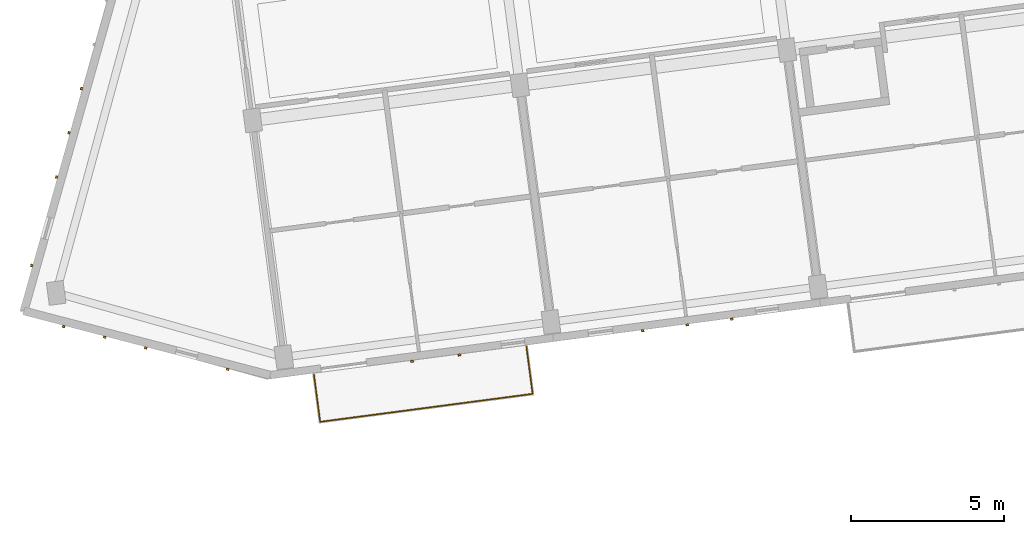
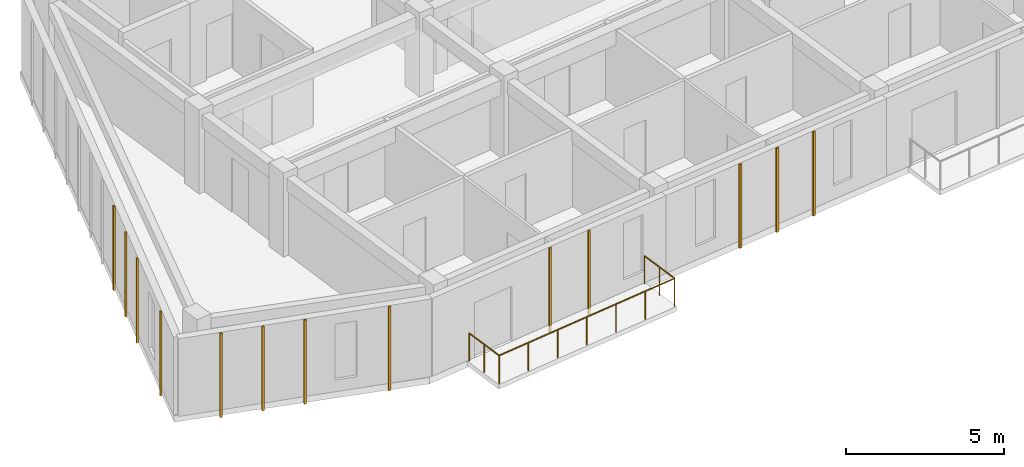
# One storey, part 42 of 66: 13 coverings, 1 railing.
"""IFC4 building model written with IfcOpenShell, lengths in metres."""

from ifc_helpers import new_model, si_unit, direction, frame, origin, origin_2d, place, context, subcontext, project, spatial, rectangle, circle, extrude, material, layer, layer_set, type_object, element, save


model = new_model("IFC4")

# Units and contexts
model_context = context("Model", 3, precision=1e-05, world=origin(), true_north=direction((0.0, 1.0)))
body_context = subcontext(model_context, "Body", "Model", "MODEL_VIEW")
ifc_project = project(units=[si_unit("LENGTHUNIT", "METRE"), si_unit("AREAUNIT", "SQUARE_METRE"), si_unit("VOLUMEUNIT", "CUBIC_METRE"), si_unit("PLANEANGLEUNIT", "RADIAN"), si_unit("MASSUNIT", "GRAM", prefix="KILO")], contexts=[model_context])

# Site, building, storey
site_placement = place(None, origin())
site = spatial("IfcSite", under=ifc_project, at=site_placement, CompositionType="ELEMENT")
building_placement = place(site_placement, origin())
building = spatial("IfcBuilding", under=site, at=building_placement, Name="Kestramere Prow Commons", CompositionType="ELEMENT")
storey_placement = place(building_placement, frame((0.0, 0.0, 14.89990234375)))
storey = spatial("IfcBuildingStorey", under=building, at=storey_placement, Name="L04", CompositionType="ELEMENT", Elevation=14.89990234375)

# Coverings
ifc_material_1 = material(Name="Weathered Zinc-Titanium Standing-Seam Cladding")
ifc_layer = layer(ifc_material_1, 0.074951171875)
ifc_layer_set = layer_set([ifc_layer], Name="Weathered Zinc-Titanium Standing-Seam Cladding")
covering_type = type_object("IfcCoveringType", Name="COV-CLAD-SEAM", PredefinedType="CLADDING", material=ifc_layer_set)
for number, where, z_axis, x_axis, name in (
    (1, (16.931396484375, 72.0712890625, -0.25), (0.0, 0.0, 1.0), (-0.991444861374, -0.13052619222, 0.0), "EW-A-L04-S-0 Standing-Seam Rib 2"),
    (2, (15.390625, 71.868408203125, -0.25), (0.0, 0.0, 1.0), (-0.991444861374, -0.13052619222, 0.0), "EW-A-L04-S-0 Standing-Seam Rib 3"),
    (3, (25.82958984375, 73.24267578125, -0.25), (0.0, 0.0, 1.0), (-0.991444861374, -0.13052619222, 0.0), "EW-A-L04-S-1 Standing-Seam Rib 2"),
    (4, (24.37548828125, 73.05126953125, -0.25), (0.0, 0.0, 1.0), (-0.991444861374, -0.13052619222, 0.0), "EW-A-L04-S-1 Standing-Seam Rib 3"),
    (5, (22.92138671875, 72.85986328125, -0.25), (0.0, 0.0, 1.0), (-0.991444861374, -0.13052619222, 0.0), "EW-A-L04-S-1 Standing-Seam Rib 4"),
    (6, (9.367431640625, 71.602783203125, -0.25), (0.0, 0.0, 1.0), (-0.96769817096, 0.252111582281, 0.0), "EW-A-L04-PRW-S Standing-Seam Rib 1"),
    (7, (6.6884765625, 72.300537109375, -0.25), (0.0, 0.0, 1.0), (-0.96769817096, 0.252111582281, 0.0), "EW-A-L04-PRW-S Standing-Seam Rib 3"),
    (8, (5.34912109375, 72.649658203125, -0.25), (0.0, 0.0, 1.0), (-0.96769817096, 0.252111582281, 0.0), "EW-A-L04-PRW-S Standing-Seam Rib 4"),
    (9, (4.009521484375, 72.99853515625, -0.25), (0.0, 0.0, 1.0), (-0.96769817096, 0.252111582281, 0.0), "EW-A-L04-PRW-S Standing-Seam Rib 5"),
    (10, (2.96142578125, 74.9931640625, -0.25), (0.0, 0.0, 1.0), (0.271159911526, 0.962534312314, 0.0), "EW-A-L04-PRW-N Standing-Seam Rib 1"),
    (11, (3.775146484375, 77.8818359375, -0.25), (0.0, 0.0, 1.0), (0.271159911526, 0.962534312314, 0.0), "EW-A-L04-PRW-N Standing-Seam Rib 3"),
    (12, (4.18212890625, 79.326171875, -0.25), (0.0, 0.0, 1.0), (0.271159911526, 0.962534312314, 0.0), "EW-A-L04-PRW-N Standing-Seam Rib 4"),
    (13, (4.5888671875, 80.7705078125, -0.25), (0.0, 0.0, 1.0), (0.271159911526, 0.962534312314, 0.0), "EW-A-L04-PRW-N Standing-Seam Rib 5"),
):
    element("IfcCovering", number, at=place(storey_placement, frame(where, z_axis=z_axis, x_axis=x_axis)), inside=storey, type_object=covering_type, Name=name, PredefinedType="CLADDING", context=body_context, shape_type="SweptSolid", body=[
        extrude(rectangle(XDim=0.0849609375, YDim=0.06494140625, at=origin_2d()), origin(), (0.0, 0.0, 1.0), 3.25),
    ])

# Railing
ifc_material_2 = material(Name="Powder-Coated Aluminium 6063-T6", Category="aluminium")
railing_type = type_object("IfcRailingType", Name="GRD-BALC-1100", PredefinedType="BALUSTRADE", material=ifc_material_2)
railing_placement = place(storey_placement, frame((12.182373046875, 71.433349609375, 0.0)))
element("IfcRailing", 14, at=railing_placement, inside=storey, type_object=railing_type, Name="Block A L04 Balcony Guardrail 1", PredefinedType="BALUSTRADE", context=body_context, shape_type="SweptSolid", body=[
    extrude(circle(Radius=0.02392578125, at=origin_2d()), frame((0.0, 0.0, 1.076171875), z_axis=(0.130523335136, -0.991445237512, 0.0), x_axis=(0.991445237512, 0.130523335136, 0.0)), (0.0, 0.0, 1.0), 1.56005859375),
    extrude(circle(Radius=0.02392578125, at=origin_2d()), frame((0.20361328125, -1.546630859375, 1.076171875), z_axis=(0.991447052715, 0.13050954625, 0.0), x_axis=(-0.13050954625, 0.991447052715, 0.0)), (0.0, 0.0, 1.0), 7.0),
    extrude(circle(Radius=0.02392578125, at=origin_2d()), frame((7.143798828125, -0.633056640625, 1.076171875), z_axis=(-0.130503085734, 0.991447903127, 0.0), x_axis=(-0.991447903127, -0.130503085734, 0.0)), (0.0, 0.0, 1.0), 1.560302734375),
    extrude(circle(Radius=0.02099609375, at=origin_2d()), origin(), (0.0, 0.0, 1.0), 1.052001953125),
    extrude(circle(Radius=0.02099609375, at=origin_2d()), frame((0.101806640625, -0.7734375, 0.0)), (0.0, 0.0, 1.0), 1.052001953125),
    extrude(circle(Radius=0.02099609375, at=origin_2d()), frame((0.20361328125, -1.546630859375, 0.0)), (0.0, 0.0, 1.0), 1.052001953125),
    extrude(circle(Radius=0.02099609375, at=origin_2d()), frame((1.3603515625, -1.394287109375, 0.0)), (0.0, 0.0, 1.0), 1.052001953125),
    extrude(circle(Radius=0.02099609375, at=origin_2d()), frame((2.51708984375, -1.2421875, 0.0)), (0.0, 0.0, 1.0), 1.052001953125),
    extrude(circle(Radius=0.02099609375, at=origin_2d()), frame((3.673828125, -1.08984375, 0.0)), (0.0, 0.0, 1.0), 1.052001953125),
    extrude(circle(Radius=0.02099609375, at=origin_2d()), frame((4.830322265625, -0.9375, 0.0)), (0.0, 0.0, 1.0), 1.052001953125),
    extrude(circle(Radius=0.02099609375, at=origin_2d()), frame((5.987060546875, -0.785400390625, 0.0)), (0.0, 0.0, 1.0), 1.052001953125),
    extrude(circle(Radius=0.02099609375, at=origin_2d()), frame((7.143798828125, -0.633056640625, 0.0)), (0.0, 0.0, 1.0), 1.052001953125),
    extrude(circle(Radius=0.02099609375, at=origin_2d()), frame((7.0419921875, 0.140380859375, 0.0)), (0.0, 0.0, 1.0), 1.052001953125),
    extrude(circle(Radius=0.02099609375, at=origin_2d()), frame((6.940185546875, 0.913818359375, 0.0)), (0.0, 0.0, 1.0), 1.052001953125),
])

save(model, "model.ifc")
